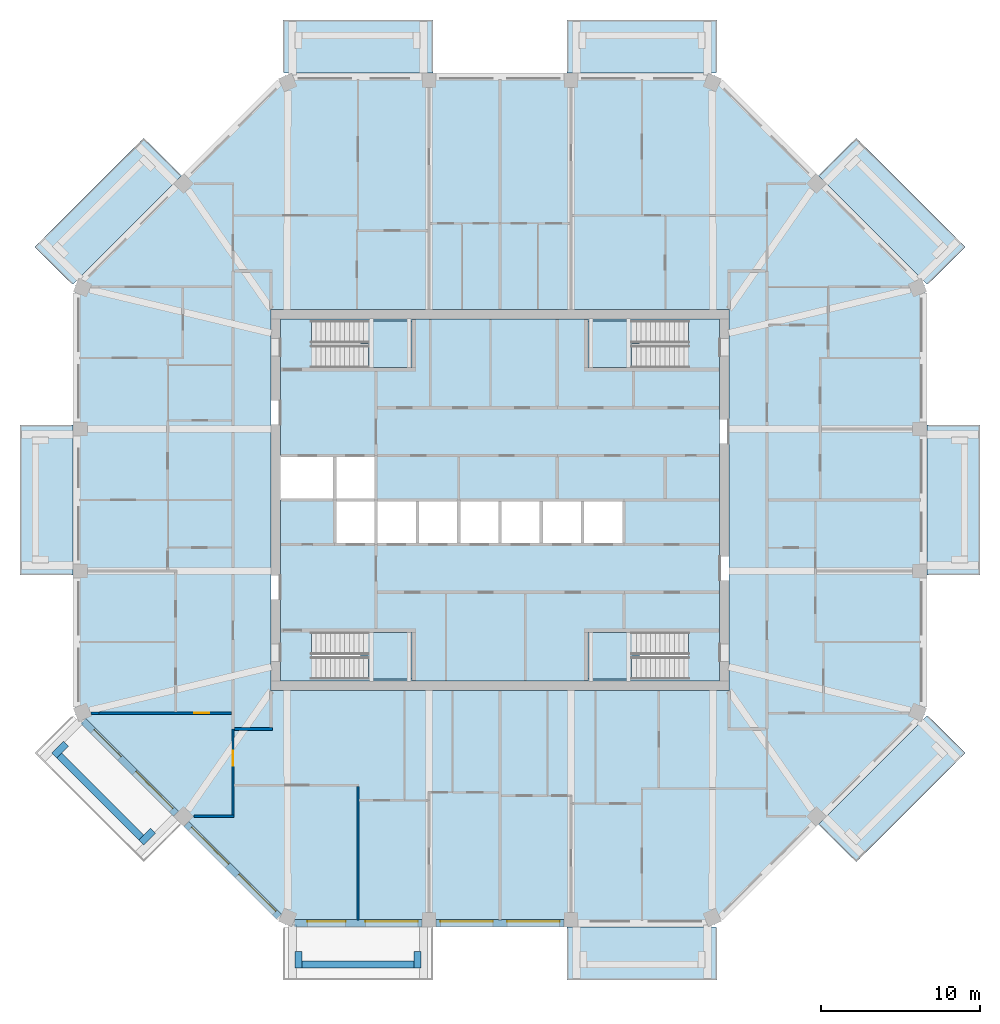
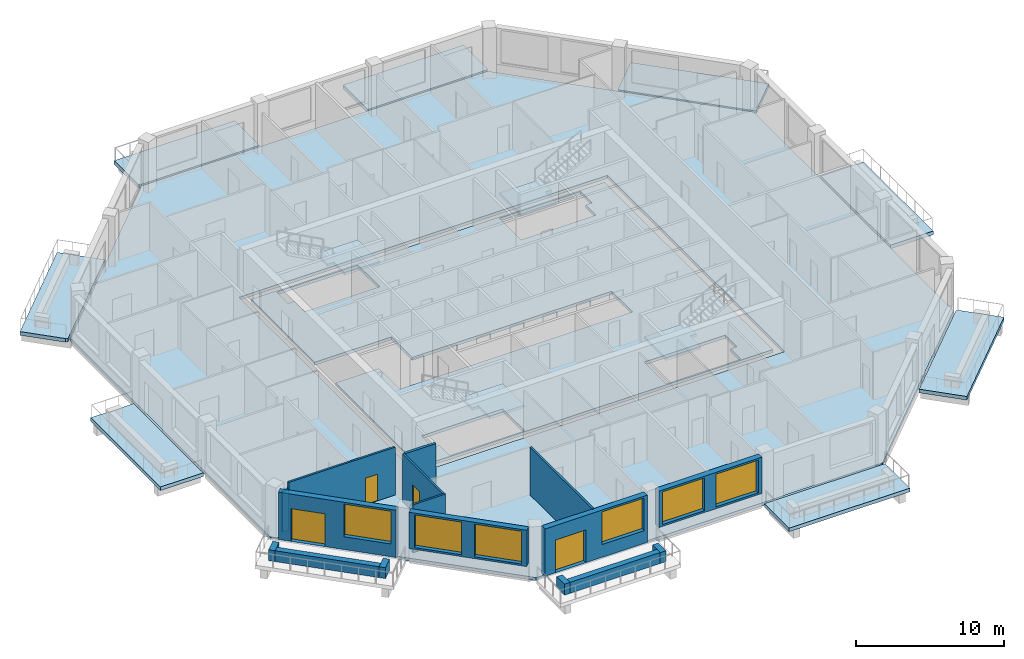
# One storey, part 2 of 12: 16 walls, 14 slabs, 6 windows, 4 doors, 10 openings, 4 elements without a shape of their own.
"""IFC4 building model written with IfcOpenShell, lengths in metres."""

import ifcopenshell
import ifcopenshell.guid

model = None  # the IFC model being written
_history = None  # IfcOwnerHistory: only IFC2X3 demands one
_inside = {}  # id of a spatial element -> (the spatial element, [elements in it])
_under = {}  # id of a project, library or spatial element -> (it, [spatial elements below it])
_declared = {}  # id of a project -> (the project, [libraries it declares])
_typed = {}  # id of a type object -> (the type object, [elements of that type])
_made_of = {}  # id of a material, layer set ... -> (it, [elements and type objects made of it])


def new_model(schema):
    """Start an empty IFC model of exactly this schema.

    Asked for "IFC4X3", IfcOpenShell would pick the latest addendum, in which some entities
    have other attributes; the version numbers below select the first issue.
    IFC2X3 requires an IfcOwnerHistory on every rooted entity: one is made here for all.
    """
    global model, _history
    if schema == "IFC4X3":
        model = ifcopenshell.file(schema_version=(4, 3, 0, 0))
    else:
        model = ifcopenshell.file(schema=schema)
    _inside.clear()
    _under.clear()
    _declared.clear()
    _typed.clear()
    _made_of.clear()
    _history = None
    if model.schema == "IFC2X3":
        org = make("IfcOrganization", Name="unknown")
        user = make(
            "IfcPersonAndOrganization",
            ThePerson=make("IfcPerson", FamilyName="unknown"),
            TheOrganization=org,
        )
        app = make(
            "IfcApplication",
            ApplicationDeveloper=org,
            Version="unknown",
            ApplicationFullName="unknown",
            ApplicationIdentifier="unknown",
        )
        _history = make(
            "IfcOwnerHistory",
            OwningUser=user,
            OwningApplication=app,
            ChangeAction="ADDED",
            CreationDate=0,
        )
    return model


def make(cls, **values):
    """One entity of the class cls with the attributes given. An attribute that is None is left unset."""
    return model.create_entity(
        cls, **{name: value for name, value in values.items() if value is not None}
    )


def rooted(cls, **values):
    """An entity with a GlobalId (a new one), such as an element, a storey or a relation."""
    return make(cls, GlobalId=ifcopenshell.guid.new(), OwnerHistory=_history, **values)


def si_unit(unit_type, name, prefix=None):
    """IfcSIUnit, for example si_unit("LENGTHUNIT", "METRE", prefix="MILLI")."""
    return make("IfcSIUnit", UnitType=unit_type, Prefix=prefix, Name=name)


def assignment(units):
    """IfcUnitAssignment: the units of a project."""
    return None if units is None else make("IfcUnitAssignment", Units=units)


def point(xyz):
    """IfcCartesianPoint."""
    return None if xyz is None else make("IfcCartesianPoint", Coordinates=xyz)


def direction(xyz):
    """IfcDirection."""
    return None if xyz is None else make("IfcDirection", DirectionRatios=xyz)


def frame(location, z_axis=None, x_axis=None):
    """IfcAxis2Placement3D, a coordinate frame: its origin and axes. An axis left out is left unset."""
    return make(
        "IfcAxis2Placement3D",
        Location=point(location),
        Axis=direction(z_axis),
        RefDirection=direction(x_axis),
    )


def frame_2d(location, x_axis=None):
    """IfcAxis2Placement2D, a coordinate frame in the plane: its origin and x axis."""
    return make(
        "IfcAxis2Placement2D", Location=point(location), RefDirection=direction(x_axis)
    )


def origin():
    """The frame at (0, 0, 0) with its axes left unset."""
    return frame((0.0, 0.0, 0.0))


def place(relative_to, where):
    """IfcLocalPlacement: puts the frame where relative to a parent placement (None: the world)."""
    return make(
        "IfcLocalPlacement", PlacementRelTo=relative_to, RelativePlacement=where
    )


def context(
    kind, dimensions, precision=None, world=None, true_north=None, identifier=None
):
    """IfcGeometricRepresentationContext, for example the 3D "Model" context."""
    return make(
        "IfcGeometricRepresentationContext",
        ContextIdentifier=identifier,
        ContextType=kind,
        CoordinateSpaceDimension=dimensions,
        Precision=precision,
        WorldCoordinateSystem=world,
        TrueNorth=true_north,
    )


def subcontext(parent, identifier, kind, view, scale=None):
    """IfcGeometricRepresentationSubContext, for example "Body" below "Model"."""
    return make(
        "IfcGeometricRepresentationSubContext",
        ContextIdentifier=identifier,
        ContextType=kind,
        ParentContext=parent,
        TargetScale=scale,
        TargetView=view,
    )


def project(units=None, contexts=None):
    """IfcProject with its units and contexts."""
    return rooted(
        "IfcProject",
        Name="project",
        RepresentationContexts=contexts,
        UnitsInContext=assignment(units),
    )


def spatial(cls, under=None, at=None, **own):
    """A site, building, storey or space (cls), placed at a placement, below another one or the project."""
    s = rooted(cls, ObjectPlacement=at, **own)
    if under is not None:
        _under.setdefault(under.id(), (under, []))[1].append(s)
    return s


def polyline(points):
    """IfcPolyline through the points."""
    return make("IfcPolyline", Points=[point(p) for p in points])


def profile(cls, at=None, kind="AREA", **sizes):
    """A parametric profile (cls). Its sizes go by their IFC names, for example OverallWidth=200.0."""
    return make(cls, ProfileType=kind, Position=at, **sizes)


def rectangle(**sizes):
    """IfcRectangleProfileDef."""
    return profile("IfcRectangleProfileDef", **sizes)


def outline(outer, holes=None, kind="AREA"):
    """IfcArbitraryClosedProfileDef: a profile drawn as a closed curve; with holes, ...WithVoids."""
    if holes is None:
        return make("IfcArbitraryClosedProfileDef", ProfileType=kind, OuterCurve=outer)
    return make(
        "IfcArbitraryProfileDefWithVoids",
        ProfileType=kind,
        OuterCurve=outer,
        InnerCurves=holes,
    )


def extrude(swept, where, along, depth):
    """IfcExtrudedAreaSolid: the profile swept, set in the frame where, extruded along a direction by depth."""
    return make(
        "IfcExtrudedAreaSolid",
        SweptArea=swept,
        Position=where,
        ExtrudedDirection=direction(along),
        Depth=depth,
    )


def shape(context_of_items, identifier, shape_type, items):
    """IfcShapeRepresentation: the items that make up one representation, for example the "Body"."""
    return make(
        "IfcShapeRepresentation",
        ContextOfItems=context_of_items,
        RepresentationIdentifier=identifier,
        RepresentationType=shape_type,
        Items=items,
    )


def material(Name=None, Category=None):
    """IfcMaterial."""
    return make("IfcMaterial", Name=Name, Category=Category)


def layer(
    of_material, thickness, ventilated=None, Name=None, Category=None, Priority=None
):
    """IfcMaterialLayer: one layer of a wall or slab, of a material (None: an air gap)."""
    return make(
        "IfcMaterialLayer",
        Material=of_material,
        LayerThickness=thickness,
        IsVentilated=ventilated,
        Name=Name,
        Category=Category,
        Priority=Priority,
    )


def layer_set(layers, Name=None):
    """IfcMaterialLayerSet."""
    return make("IfcMaterialLayerSet", MaterialLayers=layers, LayerSetName=Name)


def made_of(thing, what):
    """Note that an element or type object is made of a material, layer set ...; save() writes the relation."""
    if what is not None:
        _made_of.setdefault(what.id(), (what, []))[1].append(thing)
    return thing


def type_object(cls, material=None, **own):
    """A type object (cls), such as IfcWallType, which elements share."""
    return made_of(rooted(cls, **own), material)


def element(
    cls,
    number,
    at=None,
    inside=None,
    cuts=None,
    type_object=None,
    material=None,
    context=None,
    identifier="Body",
    shape_type=None,
    held_by="IfcProductDefinitionShape",
    body=None,
    shapes=None,
    **own,
):
    """One element of the class cls, such as IfcWall. Its Tag is "e" and its number.

    at: its placement. inside: the storey or other place that contains it. cuts: it is an
    opening in that element (IfcRelVoidsElement). A single representation is given by context,
    identifier, shape_type and body (its items); several are given by shapes. held_by: the class
    of the entity that holds the representations. save() writes the other relations.
    """
    e = rooted(cls, Tag="e%d" % number, ObjectPlacement=at, **own)
    if body is not None:
        shapes = [shape(context, identifier, shape_type, body)]
    if shapes is not None:
        e.Representation = make(held_by, Representations=shapes)
    if inside is not None:
        _inside.setdefault(inside.id(), (inside, []))[1].append(e)
    if cuts is not None:
        rooted(
            "IfcRelVoidsElement", RelatingBuildingElement=cuts, RelatedOpeningElement=e
        )
    if type_object is not None:
        _typed.setdefault(type_object.id(), (type_object, []))[1].append(e)
    return made_of(e, material)


def fill(opening, filler):
    """IfcRelFillsElement: the door or window that sits in an opening."""
    return rooted(
        "IfcRelFillsElement",
        RelatingOpeningElement=opening,
        RelatedBuildingElement=filler,
    )


def aggregate(whole, parts):
    """IfcRelAggregates: a whole, such as a stair, and the parts it consists of."""
    return rooted("IfcRelAggregates", RelatingObject=whole, RelatedObjects=parts)


def save(model, path):
    """Write the relations noted so far, then the file.

    IfcRelAggregates (storeys below a building ...), IfcRelContainedInSpatialStructure (elements
    in a storey), IfcRelDefinesByType, IfcRelAssociatesMaterial and IfcRelDeclares: one each for
    every whole, place, type object, material and project.
    """
    for whole, parts in _under.values():
        aggregate(whole, parts)
    for where, things in _inside.values():
        rooted(
            "IfcRelContainedInSpatialStructure",
            RelatedElements=things,
            RelatingStructure=where,
        )
    for kind, things in _typed.values():
        rooted("IfcRelDefinesByType", RelatedObjects=things, RelatingType=kind)
    for what, things in _made_of.values():
        rooted("IfcRelAssociatesMaterial", RelatedObjects=things, RelatingMaterial=what)
    for by, libraries in _declared.values():
        rooted("IfcRelDeclares", RelatingContext=by, RelatedDefinitions=libraries)
    model.write(path)


model = new_model("IFC4")

# Units and contexts
model_context = context("Model", 3, precision=1e-05, world=origin(), true_north=direction((0.0, 1.0)))
body_context = subcontext(model_context, "Body", "Model", "MODEL_VIEW")
ifc_project = project(units=[si_unit("LENGTHUNIT", "METRE"), si_unit("AREAUNIT", "SQUARE_METRE"), si_unit("VOLUMEUNIT", "CUBIC_METRE"), si_unit("PLANEANGLEUNIT", "RADIAN"), si_unit("MASSUNIT", "GRAM", prefix="KILO")], contexts=[model_context])

# Site, building, storey
site_placement = place(None, origin())
site = spatial("IfcSite", under=ifc_project, at=site_placement, CompositionType="ELEMENT")
building_placement = place(site_placement, origin())
building = spatial("IfcBuilding", under=site, at=building_placement, Name="Msitu Wima Residences", CompositionType="ELEMENT")
storey_placement = place(building_placement, frame((0.0, 0.0, 255.89990234375)))
storey = spatial("IfcBuildingStorey", under=building, at=storey_placement, Name="L59", CompositionType="ELEMENT", Elevation=255.89990234375)

# Slabs
ifc_material_1 = material(Name="Concrete C40/50", Category="concrete")
ifc_layer_1 = layer(ifc_material_1, 0.300048828125)
ifc_layer_set_1 = layer_set([ifc_layer_1], Name="Concrete C40/50")
slab_type_1 = type_object("IfcSlabType", Name="Balcony slab BS300", PredefinedType="FLOOR", material=ifc_layer_set_1)
slab_1_placement = place(storey_placement, frame((0.0, 0.0, -0.2998046875)))
element("IfcSlab", 1, at=slab_1_placement, inside=storey, type_object=slab_type_1, Name="Balcony E1 L59", PredefinedType="FLOOR", context=body_context, shape_type="SweptSolid", body=[
    extrude(outline(polyline([(26.85009765625, -4.0185546875), (26.85009765625, 4.0185546875), (26.85009765625, 4.71875), (30.199951171875, 4.71875), (30.199951171875, -4.71875), (26.85009765625, -4.71875), (26.85009765625, -4.0185546875)])), origin(), (0.0, 0.0, 1.0), 0.2998046875),
])
slab_2_placement = place(storey_placement, frame((0.0, 0.0, -0.2998046875)))
element("IfcSlab", 2, at=slab_2_placement, inside=storey, type_object=slab_type_1, Name="Balcony NE0 L59", PredefinedType="FLOOR", context=body_context, shape_type="SweptSolid", body=[
    extrude(outline(polyline([(26.505615234375, 13.936767578125), (26.505615234375, 13.936767578125), (20.04443359375, 20.39794921875), (22.4130859375, 22.766845703125), (29.263671875, 15.916015625), (27.003662109375, 13.656005859375), (26.85009765625, 13.59228515625), (26.505615234375, 13.936767578125), (26.505615234375, 13.936767578125)])), origin(), (0.0, 0.0, 1.0), 0.2998046875),
])
slab_3_placement = place(storey_placement, frame((0.0, 0.0, -0.2998046875)))
element("IfcSlab", 3, at=slab_3_placement, inside=storey, type_object=slab_type_1, Name="Balcony N0 L59", PredefinedType="FLOOR", context=body_context, shape_type="SweptSolid", body=[
    extrude(outline(polyline([(13.105224609375, 26.85009765625), (13.105224609375, 26.85009765625), (4.918701171875, 26.85009765625), (4.21875, 26.85009765625), (4.21875, 30.199951171875), (13.656005859375, 30.199951171875), (13.656005859375, 27.003662109375), (13.59228515625, 26.85009765625), (13.105224609375, 26.85009765625), (13.105224609375, 26.85009765625)])), origin(), (0.0, 0.0, 1.0), 0.2998046875),
])
slab_4_placement = place(storey_placement, frame((0.0, 0.0, -0.2998046875)))
element("IfcSlab", 4, at=slab_4_placement, inside=storey, type_object=slab_type_1, Name="Balcony N2 L59", PredefinedType="FLOOR", context=body_context, shape_type="SweptSolid", body=[
    extrude(outline(polyline([(-13.105224609375, 26.85009765625), (-13.105224609375, 26.85009765625), (-13.105224609375, 26.85009765625), (-13.59228515625, 26.85009765625), (-13.656005859375, 27.003662109375), (-13.656005859375, 30.199951171875), (-4.21875, 30.199951171875), (-4.21875, 26.85009765625), (-4.918701171875, 26.85009765625), (-13.105224609375, 26.85009765625)])), origin(), (0.0, 0.0, 1.0), 0.2998046875),
])
slab_5_placement = place(storey_placement, frame((0.0, 0.0, -0.2998046875)))
element("IfcSlab", 5, at=slab_5_placement, inside=storey, type_object=slab_type_1, Name="Balcony NW1 L59", PredefinedType="FLOOR", context=body_context, shape_type="SweptSolid", body=[
    extrude(outline(polyline([(-26.505615234375, 13.936767578125), (-26.505615234375, 13.936767578125), (-26.85009765625, 13.59228515625), (-27.003662109375, 13.656005859375), (-29.263671875, 15.916015625), (-22.4130859375, 22.766845703125), (-20.04443359375, 20.39794921875), (-26.505615234375, 13.936767578125), (-26.505615234375, 13.936767578125)])), origin(), (0.0, 0.0, 1.0), 0.2998046875),
])
slab_6_placement = place(storey_placement, frame((0.0, 0.0, -0.2998046875)))
element("IfcSlab", 6, at=slab_6_placement, inside=storey, type_object=slab_type_1, Name="Balcony W1 L59", PredefinedType="FLOOR", context=body_context, shape_type="SweptSolid", body=[
    extrude(outline(polyline([(-26.85009765625, 4.0185546875), (-26.85009765625, -4.0185546875), (-26.85009765625, -4.71875), (-30.199951171875, -4.71875), (-30.199951171875, 4.71875), (-26.85009765625, 4.71875), (-26.85009765625, 4.0185546875)])), origin(), (0.0, 0.0, 1.0), 0.2998046875),
])
slab_7_placement = place(storey_placement, frame((0.0, 0.0, -0.2998046875)))
element("IfcSlab", 7, at=slab_7_placement, inside=storey, type_object=slab_type_1, Name="Balcony S2 L59", PredefinedType="FLOOR", context=body_context, shape_type="SweptSolid", body=[
    extrude(outline(polyline([(13.105224609375, -26.85009765625), (13.105224609375, -26.85009765625), (13.105224609375, -26.85009765625), (13.59228515625, -26.85009765625), (13.656005859375, -27.003662109375), (13.656005859375, -30.199951171875), (4.21875, -30.199951171875), (4.21875, -26.85009765625), (4.918701171875, -26.85009765625), (13.105224609375, -26.85009765625)])), origin(), (0.0, 0.0, 1.0), 0.2998046875),
])
slab_8_placement = place(storey_placement, frame((0.0, 0.0, -0.2998046875)))
element("IfcSlab", 8, at=slab_8_placement, inside=storey, type_object=slab_type_1, Name="Balcony SE1 L59", PredefinedType="FLOOR", context=body_context, shape_type="SweptSolid", body=[
    extrude(outline(polyline([(26.505615234375, -13.936767578125), (26.505615234375, -13.936767578125), (26.85009765625, -13.59228515625), (27.003662109375, -13.656005859375), (29.263671875, -15.916015625), (22.4130859375, -22.766845703125), (20.04443359375, -20.39794921875), (26.505615234375, -13.936767578125), (26.505615234375, -13.936767578125)])), origin(), (0.0, 0.0, 1.0), 0.2998046875),
])
ifc_layer_2 = layer(ifc_material_1, 0.25)
ifc_layer_set_2 = layer_set([ifc_layer_2], Name="Concrete C40/50")
slab_type_2 = type_object("IfcSlabType", Name="Core floor CF250", PredefinedType="FLOOR", material=ifc_layer_set_2)
slab_9_placement = place(storey_placement, frame((0.0, 0.0, -0.25)))
element("IfcSlab", 9, at=slab_9_placement, inside=storey, type_object=slab_type_2, Name="Core floor", PredefinedType="FLOOR", context=body_context, shape_type="SweptSolid", body=[
    extrude(outline(polyline([(-13.800048828125, 11.39990234375), (-13.800048828125, 2.800048828125), (-10.39990234375, 2.800048828125), (-7.800048828125, 2.800048828125), (-7.800048828125, 0.0), (-5.199951171875, 0.0), (-2.60009765625, 0.0), (0.0, 0.0), (2.60009765625, 0.0), (5.199951171875, 0.0), (7.800048828125, 0.0), (7.800048828125, -2.800048828125), (5.199951171875, -2.800048828125), (2.60009765625, -2.800048828125), (0.0, -2.800048828125), (-2.60009765625, -2.800048828125), (-5.199951171875, -2.800048828125), (-7.800048828125, -2.800048828125), (-10.39990234375, -2.800048828125), (-10.39990234375, 0.0), (-13.800048828125, 0.0), (-13.800048828125, -11.39990234375), (13.800048828125, -11.39990234375), (13.800048828125, 11.39990234375), (-13.800048828125, 11.39990234375)]), holes=[polyline([(-11.375, -11.27490234375), (-11.375, -9.875), (-11.87451171875, -9.875), (-11.87451171875, -8.324951171875), (-5.52490234375, -8.324951171875), (-5.52490234375, -11.27490234375), (-11.375, -11.27490234375)]), polyline([(-11.375, 8.324951171875), (-11.375, 9.72509765625), (-11.87451171875, 9.72509765625), (-11.87451171875, 11.27490234375), (-5.52490234375, 11.27490234375), (-5.52490234375, 8.324951171875), (-11.375, 8.324951171875)]), polyline([(11.375, -9.875), (11.375, -11.27490234375), (5.52490234375, -11.27490234375), (5.52490234375, -8.324951171875), (11.87451171875, -8.324951171875), (11.87451171875, -9.875), (11.375, -9.875)]), polyline([(11.375, 9.72509765625), (11.375, 8.324951171875), (5.52490234375, 8.324951171875), (5.52490234375, 11.27490234375), (11.87451171875, 11.27490234375), (11.87451171875, 9.72509765625), (11.375, 9.72509765625)])]), origin(), (0.0, 0.0, 1.0), 0.25),
])
ifc_layer_3 = layer(ifc_material_1, 0.25)
ifc_layer_set_3 = layer_set([ifc_layer_3], Name="Concrete C40/50")
slab_type_3 = type_object("IfcSlabType", Name="PT flat slab 250 Concrete C40/50", PredefinedType="FLOOR", material=ifc_layer_set_3)
slab_10_placement = place(storey_placement, frame((0.0, 0.0, -0.25)))
element("IfcSlab", 10, at=slab_10_placement, inside=storey, type_object=slab_type_3, Name="Floor slab L59", PredefinedType="FLOOR", context=body_context, shape_type="SweptSolid", body=[
    extrude(outline(polyline([(26.699951171875, -13.5302734375), (13.5302734375, -26.699951171875), (-13.5302734375, -26.699951171875), (-26.699951171875, -13.5302734375), (-26.699951171875, 13.5302734375), (-13.5302734375, 26.699951171875), (13.5302734375, 26.699951171875), (26.699951171875, 13.5302734375), (26.699951171875, -13.5302734375)]), holes=[polyline([(-14.39990234375, -12.0), (14.39990234375, -12.0), (14.39990234375, 12.0), (-14.39990234375, 12.0), (-14.39990234375, -12.0)])]), origin(), (0.0, 0.0, 1.0), 0.25),
])

# Stair, slab
stair_type = type_object("IfcStairType", Name="Exit stair ES1615-140", PredefinedType="HALF_TURN_STAIR", material=ifc_material_1)
stair_1_placement = place(storey_placement, origin())
stair_1 = element("IfcStair", 11, at=stair_1_placement, inside=storey, type_object=stair_type, Name="Exit stair 1", PredefinedType="HALF_TURN_STAIR")
ifc_layer_4 = layer(ifc_material_1, 0.199951171875)
ifc_layer_set_4 = layer_set([ifc_layer_4], Name="Concrete C40/50")
slab_type_4 = type_object("IfcSlabType", Name="Stair landing SL200", PredefinedType="LANDING", material=ifc_layer_set_4)
slab_11_placement = place(storey_placement, frame((0.0, 0.0, 1.900146484375)))
slab_11 = element("IfcSlab", 12, at=slab_11_placement, type_object=slab_type_4, Name="S1 landing 1", PredefinedType="LANDING", context=body_context, shape_type="SweptSolid", body=[
    extrude(outline(polyline([(-5.52490234375, 8.324951171875), (-8.275390625, 8.324951171875), (-8.275390625, 9.800048828125), (-8.77490234375, 9.800048828125), (-8.77490234375, 11.27490234375), (-5.52490234375, 11.27490234375), (-5.52490234375, 8.324951171875)])), origin(), (0.0, 0.0, 1.0), 0.199951171875),
])
aggregate(stair_1, [slab_11])

stair_2_placement = place(storey_placement, origin())
stair_2 = element("IfcStair", 13, at=stair_2_placement, inside=storey, type_object=stair_type, Name="Exit stair 2", PredefinedType="HALF_TURN_STAIR")
slab_12_placement = place(storey_placement, frame((0.0, 0.0, 1.900146484375)))
slab_12 = element("IfcSlab", 14, at=slab_12_placement, type_object=slab_type_4, Name="S2 landing 1", PredefinedType="LANDING", context=body_context, shape_type="SweptSolid", body=[
    extrude(outline(polyline([(-5.52490234375, -11.27490234375), (-8.275390625, -11.27490234375), (-8.275390625, -9.800048828125), (-8.77490234375, -9.800048828125), (-8.77490234375, -8.324951171875), (-5.52490234375, -8.324951171875), (-5.52490234375, -11.27490234375)])), origin(), (0.0, 0.0, 1.0), 0.199951171875),
])
aggregate(stair_2, [slab_12])

stair_3_placement = place(storey_placement, origin())
stair_3 = element("IfcStair", 15, at=stair_3_placement, inside=storey, type_object=stair_type, Name="Exit stair 3", PredefinedType="HALF_TURN_STAIR")
slab_13_placement = place(storey_placement, frame((0.0, 0.0, 1.900146484375)))
slab_13 = element("IfcSlab", 16, at=slab_13_placement, type_object=slab_type_4, Name="S3 landing 1", PredefinedType="LANDING", context=body_context, shape_type="SweptSolid", body=[
    extrude(outline(polyline([(5.52490234375, 8.324951171875), (8.275390625, 8.324951171875), (8.275390625, 9.800048828125), (8.77490234375, 9.800048828125), (8.77490234375, 11.27490234375), (5.52490234375, 11.27490234375), (5.52490234375, 8.324951171875)])), origin(), (0.0, 0.0, 1.0), 0.199951171875),
])
aggregate(stair_3, [slab_13])

stair_4_placement = place(storey_placement, origin())
stair_4 = element("IfcStair", 17, at=stair_4_placement, inside=storey, type_object=stair_type, Name="Exit stair 4", PredefinedType="HALF_TURN_STAIR")
slab_14_placement = place(storey_placement, frame((0.0, 0.0, 1.900146484375)))
slab_14 = element("IfcSlab", 18, at=slab_14_placement, type_object=slab_type_4, Name="S4 landing 1", PredefinedType="LANDING", context=body_context, shape_type="SweptSolid", body=[
    extrude(outline(polyline([(5.52490234375, -11.27490234375), (8.275390625, -11.27490234375), (8.275390625, -9.800048828125), (8.77490234375, -9.800048828125), (8.77490234375, -8.324951171875), (5.52490234375, -8.324951171875), (5.52490234375, -11.27490234375)])), origin(), (0.0, 0.0, 1.0), 0.199951171875),
])
aggregate(stair_4, [slab_14])

# Walls
ifc_material_2 = material(Name="Facing brick")
ifc_layer_5 = layer(ifc_material_2, 0.06494140625, Name="Facing brick")
ifc_layer_6 = layer(ifc_material_1, 0.156005859375, Name="Concrete C40/50")
ifc_material_3 = material(Name="Waterproofing membrane")
ifc_layer_7 = layer(ifc_material_3, 0.00390625, Name="Waterproofing membrane")
ifc_material_4 = material(Name="Planting soil and planting")
ifc_layer_8 = layer(ifc_material_4, 0.22509765625, Name="Planting soil and planting")
ifc_layer_set_5 = layer_set([ifc_layer_5, ifc_layer_6, ifc_layer_7, ifc_layer_8], Name="Concrete C40/50")
wall_type_1 = type_object("IfcWallType", Name="Balcony planter PLANTER PL450", PredefinedType="USERDEFINED", material=ifc_layer_set_5)
wall_1_placement = place(storey_placement, frame((-27.725830078125, -16.0751953125, 0.0), z_axis=(0.0, 0.0, 1.0), x_axis=(0.707106781187, -0.707106781187, 0.0)))
element("IfcWall", 19, at=wall_1_placement, inside=storey, type_object=wall_type_1, Name="Balcony planter SW0 L59", ObjectType="PLANTER", PredefinedType="USERDEFINED", context=body_context, shape_type="SweptSolid", body=[
    extrude(rectangle(XDim=7.288330078125, YDim=0.449951171875, at=frame_2d((3.64404296875, 0.0))), origin(), (0.0, 0.0, 1.0), 0.900146484375),
])
for number, where, z_axis, x_axis, name in (
    (20, (-27.301513671875, -15.332763671875, 0.0), (0.0, 0.0, 1.0), (-0.707106781187, -0.707106781187, 0.0), "Balcony planter SW0 L59"),
    (21, (-21.829833984375, -20.804443359375, 0.0), (0.0, 0.0, 1.0), (-0.707106781187, -0.707106781187, 0.0), "Balcony planter SW0 L59"),
):
    element("IfcWall", number, at=place(storey_placement, frame(where, z_axis=z_axis, x_axis=x_axis)), inside=storey, type_object=wall_type_1, Name=name, ObjectType="PLANTER", PredefinedType="USERDEFINED", context=body_context, shape_type="SweptSolid", body=[
        extrude(rectangle(XDim=1.050048828125, YDim=0.449951171875, at=frame_2d((0.52490234375, 0.0))), origin(), (0.0, 0.0, 1.0), 0.900146484375),
    ])
wall_2_placement = place(storey_placement, frame((-12.455810546875, -29.22509765625, 0.0), z_axis=(0.0, 0.0, 1.0), x_axis=(1.0, 0.0, 0.0)))
element("IfcWall", 22, at=wall_2_placement, inside=storey, type_object=wall_type_1, Name="Balcony planter S0 L59", ObjectType="PLANTER", PredefinedType="USERDEFINED", context=body_context, shape_type="SweptSolid", body=[
    extrude(rectangle(XDim=7.037109375, YDim=0.449951171875, at=frame_2d((3.5185546875, 0.0))), origin(), (0.0, 0.0, 1.0), 0.900146484375),
])
for number, where, z_axis, x_axis, name in (
    (23, (-12.680908203125, -28.39990234375, 0.0), (0.0, 0.0, 1.0), (0.0, -1.0, 0.0), "Balcony planter S0 L59"),
    (24, (-5.193603515625, -28.39990234375, 0.0), (0.0, 0.0, 1.0), (0.0, -1.0, 0.0), "Balcony planter S0 L59"),
):
    element("IfcWall", number, at=place(storey_placement, frame(where, z_axis=z_axis, x_axis=x_axis)), inside=storey, type_object=wall_type_1, Name=name, ObjectType="PLANTER", PredefinedType="USERDEFINED", context=body_context, shape_type="SweptSolid", body=[
        extrude(rectangle(XDim=1.050048828125, YDim=0.449951171875, at=frame_2d((0.52490234375, 0.0))), origin(), (0.0, 0.0, 1.0), 0.900146484375),
    ])

# Wall, openings, door, window
ifc_material_5 = material(Name="Brick (red buff mix)", Category="masonry")
ifc_layer_9 = layer(ifc_material_5, 0.449951171875)
ifc_layer_set_6 = layer_set([ifc_layer_9], Name="Brick (red buff mix)")
wall_type_2 = type_object("IfcWallType", Name="Brick infill wall BW450", PredefinedType="SOLIDWALL", material=ifc_layer_set_6)
wall_3_placement = place(storey_placement, frame((-26.214599609375, -13.909423828125, 0.0), z_axis=(0.0, 0.0, 1.0), x_axis=(0.707106781187, -0.707106781187, 0.0)))
wall_3 = element("IfcWall", 25, at=wall_3_placement, inside=storey, type_object=wall_type_2, Name="Brick infill wall L59 SW0", PredefinedType="SOLIDWALL", context=body_context, shape_type="SweptSolid", body=[
    extrude(rectangle(XDim=8.251220703125, YDim=0.449951171875, at=frame_2d((4.12548828125, 0.0))), origin(), (0.0, 0.0, 1.0), 3.900146484375),
])
opening_1_placement = place(wall_3_placement, frame((0.86279296875, 0.0, 0.0)))
opening_1 = element("IfcOpeningElement", 26, at=opening_1_placement, cuts=wall_3, Name="Opening D57-59.009", PredefinedType="OPENING", context=body_context, shape_type="SweptSolid", body=[
    extrude(rectangle(XDim=2.39990234375, YDim=2.699951171875, at=frame_2d((1.199951171875, 1.35009765625))), frame((0.0, 0.23486328125, 0.0), z_axis=(0.0, -1.0, 0.0), x_axis=(1.0, 0.0, 0.0)), (0.0, 0.0, 1.0), 0.469970703125),
])
opening_2_placement = place(wall_3_placement, frame((4.57568359375, 0.0, 1.050048828125)))
opening_2 = element("IfcOpeningElement", 27, at=opening_2_placement, cuts=wall_3, Name="Opening W57-59.023", PredefinedType="OPENING", context=body_context, shape_type="SweptSolid", body=[
    extrude(rectangle(XDim=3.300048828125, YDim=2.699951171875, at=frame_2d((1.64990234375, 1.35009765625))), frame((0.0, 0.23486328125, 0.0), z_axis=(0.0, -1.0, 0.0), x_axis=(1.0, 0.0, 0.0)), (0.0, 0.0, 1.0), 0.469970703125),
])
ifc_material_6 = material(Name="Anodised aluminium, bronze finish, clear low-emissivity double glazing", Category="aluminium")
door_type_1 = type_object("IfcDoorType", Name="Balcony door D2400x2700", OperationType="SLIDING_TO_LEFT", PredefinedType="DOOR", material=ifc_material_6)
door_1_placement = place(opening_1_placement, origin())
door_1 = element("IfcDoor", 28, at=door_1_placement, inside=storey, type_object=door_type_1, Name="Balcony door L59 SW0", OperationType="SINGLE_SWING_LEFT", OverallHeight=2.699951171875, OverallWidth=2.39990234375, PredefinedType="DOOR", context=body_context, shape_type="SweptSolid", body=[
    extrude(rectangle(XDim=2.39990234375, YDim=2.699951171875, at=frame_2d((1.199951171875, 1.35009765625))), frame((0.0, 0.1298828125, 0.0), z_axis=(0.0, -1.0, 0.0), x_axis=(1.0, 0.0, 0.0)), (0.0, 0.0, 1.0), 0.050048828125),
])
fill(opening_1, door_1)
window_type = type_object("IfcWindowType", Name="Window W3300x2700", PartitioningType="DOUBLE_PANEL_VERTICAL", PredefinedType="WINDOW", material=ifc_material_6)
window_1_placement = place(opening_2_placement, origin())
window_1 = element("IfcWindow", 29, at=window_1_placement, inside=storey, type_object=window_type, Name="Window L59 SW0.2", OverallHeight=2.699951171875, OverallWidth=3.300048828125, PartitioningType="SINGLE_PANEL", PredefinedType="WINDOW", context=body_context, shape_type="SweptSolid", body=[
    extrude(rectangle(XDim=3.300048828125, YDim=2.699951171875, at=frame_2d((1.64990234375, 1.35009765625))), frame((0.0, 0.135009765625, 0.0), z_axis=(0.0, -1.0, 0.0), x_axis=(1.0, 0.0, 0.0)), (0.0, 0.0, 1.0), 0.06005859375),
])
fill(opening_2, window_1)

# Wall, openings, windows
wall_4_placement = place(storey_placement, frame((-19.743896484375, -20.380126953125, 0.900146484375), z_axis=(0.0, 0.0, 1.0), x_axis=(0.707106781187, -0.707106781187, 0.0)))
wall_4 = element("IfcWall", 30, at=wall_4_placement, inside=storey, type_object=wall_type_2, Name="Brick infill wall L59 SW1", PredefinedType="SOLIDWALL", context=body_context, shape_type="SweptSolid", body=[
    extrude(rectangle(XDim=8.251220703125, YDim=0.449951171875, at=frame_2d((4.12548828125, 0.0))), origin(), (0.0, 0.0, 1.0), 3.0),
])
opening_3_placement = place(wall_4_placement, frame((0.37548828125, 0.0, 0.14990234375)))
opening_3 = element("IfcOpeningElement", 31, at=opening_3_placement, cuts=wall_4, Name="Opening W57-59.024", PredefinedType="OPENING", context=body_context, shape_type="SweptSolid", body=[
    extrude(rectangle(XDim=3.300048828125, YDim=2.699951171875, at=frame_2d((1.64990234375, 1.35009765625))), frame((0.0, 0.23486328125, 0.0), z_axis=(0.0, -1.0, 0.0), x_axis=(1.0, 0.0, 0.0)), (0.0, 0.0, 1.0), 0.469970703125),
])
opening_4_placement = place(wall_4_placement, frame((4.57568359375, 0.0, 0.14990234375)))
opening_4 = element("IfcOpeningElement", 32, at=opening_4_placement, cuts=wall_4, Name="Opening W57-59.025", PredefinedType="OPENING", context=body_context, shape_type="SweptSolid", body=[
    extrude(rectangle(XDim=3.300048828125, YDim=2.699951171875, at=frame_2d((1.64990234375, 1.35009765625))), frame((0.0, 0.23486328125, 0.0), z_axis=(0.0, -1.0, 0.0), x_axis=(1.0, 0.0, 0.0)), (0.0, 0.0, 1.0), 0.469970703125),
])
window_2_placement = place(opening_3_placement, origin())
window_2 = element("IfcWindow", 33, at=window_2_placement, inside=storey, type_object=window_type, Name="Window L59 SW1.1", OverallHeight=2.699951171875, OverallWidth=3.300048828125, PartitioningType="SINGLE_PANEL", PredefinedType="WINDOW", context=body_context, shape_type="SweptSolid", body=[
    extrude(rectangle(XDim=3.300048828125, YDim=2.699951171875, at=frame_2d((1.64990234375, 1.35009765625))), frame((0.0, 0.135009765625, 0.0), z_axis=(0.0, -1.0, 0.0), x_axis=(1.0, 0.0, 0.0)), (0.0, 0.0, 1.0), 0.06005859375),
])
fill(opening_3, window_2)
window_3_placement = place(opening_4_placement, origin())
window_3 = element("IfcWindow", 34, at=window_3_placement, inside=storey, type_object=window_type, Name="Window L59 SW1.2", OverallHeight=2.699951171875, OverallWidth=3.300048828125, PartitioningType="SINGLE_PANEL", PredefinedType="WINDOW", context=body_context, shape_type="SweptSolid", body=[
    extrude(rectangle(XDim=3.300048828125, YDim=2.699951171875, at=frame_2d((1.64990234375, 1.35009765625))), frame((0.0, 0.135009765625, 0.0), z_axis=(0.0, -1.0, 0.0), x_axis=(1.0, 0.0, 0.0)), (0.0, 0.0, 1.0), 0.06005859375),
])
fill(opening_4, window_3)

# Wall, openings, door, window
wall_5_placement = place(storey_placement, frame((-12.918701171875, -26.625, 0.0), z_axis=(0.0, 0.0, 1.0), x_axis=(1.0, 0.0, 0.0)))
wall_5 = element("IfcWall", 35, at=wall_5_placement, inside=storey, type_object=wall_type_2, Name="Brick infill wall L59 S0", PredefinedType="SOLIDWALL", context=body_context, shape_type="SweptSolid", body=[
    extrude(rectangle(XDim=8.0, YDim=0.449951171875, at=frame_2d((4.0, 0.0))), origin(), (0.0, 0.0, 1.0), 3.900146484375),
])
opening_5_placement = place(wall_5_placement, frame((0.800048828125, 0.0, 0.0)))
opening_5 = element("IfcOpeningElement", 36, at=opening_5_placement, cuts=wall_5, Name="Opening D57-59.006", PredefinedType="OPENING", context=body_context, shape_type="SweptSolid", body=[
    extrude(rectangle(XDim=2.39990234375, YDim=2.699951171875, at=frame_2d((1.199951171875, 1.35009765625))), frame((0.0, 0.23486328125, 0.0), z_axis=(0.0, -1.0, 0.0), x_axis=(1.0, 0.0, 0.0)), (0.0, 0.0, 1.0), 0.469970703125),
])
opening_6_placement = place(wall_5_placement, frame((4.4501953125, 0.0, 1.050048828125)))
opening_6 = element("IfcOpeningElement", 37, at=opening_6_placement, cuts=wall_5, Name="Opening W57-59.016", PredefinedType="OPENING", context=body_context, shape_type="SweptSolid", body=[
    extrude(rectangle(XDim=3.300048828125, YDim=2.699951171875, at=frame_2d((1.64990234375, 1.35009765625))), frame((0.0, 0.23486328125, 0.0), z_axis=(0.0, -1.0, 0.0), x_axis=(1.0, 0.0, 0.0)), (0.0, 0.0, 1.0), 0.469970703125),
])
door_2_placement = place(opening_5_placement, origin())
door_2 = element("IfcDoor", 38, at=door_2_placement, inside=storey, type_object=door_type_1, Name="Balcony door L59 S0", OperationType="SINGLE_SWING_LEFT", OverallHeight=2.699951171875, OverallWidth=2.39990234375, PredefinedType="DOOR", context=body_context, shape_type="SweptSolid", body=[
    extrude(rectangle(XDim=2.39990234375, YDim=2.699951171875, at=frame_2d((1.199951171875, 1.35009765625))), frame((0.0, 0.1298828125, 0.0), z_axis=(0.0, -1.0, 0.0), x_axis=(1.0, 0.0, 0.0)), (0.0, 0.0, 1.0), 0.050048828125),
])
fill(opening_5, door_2)
window_4_placement = place(opening_6_placement, origin())
window_4 = element("IfcWindow", 39, at=window_4_placement, inside=storey, type_object=window_type, Name="Window L59 S0.2", OverallHeight=2.699951171875, OverallWidth=3.300048828125, PartitioningType="SINGLE_PANEL", PredefinedType="WINDOW", context=body_context, shape_type="SweptSolid", body=[
    extrude(rectangle(XDim=3.300048828125, YDim=2.699951171875, at=frame_2d((1.64990234375, 1.35009765625))), frame((0.0, 0.135009765625, 0.0), z_axis=(0.0, -1.0, 0.0), x_axis=(1.0, 0.0, 0.0)), (0.0, 0.0, 1.0), 0.06005859375),
])
fill(opening_6, window_4)

# Wall, openings, windows
wall_6_placement = place(storey_placement, frame((-4.0185546875, -26.625, 0.900146484375), z_axis=(0.0, 0.0, 1.0), x_axis=(1.0, 0.0, 0.0)))
wall_6 = element("IfcWall", 40, at=wall_6_placement, inside=storey, type_object=wall_type_2, Name="Brick infill wall L59 S1", PredefinedType="SOLIDWALL", context=body_context, shape_type="SweptSolid", body=[
    extrude(rectangle(XDim=8.037109375, YDim=0.449951171875, at=frame_2d((4.0185546875, 0.0))), origin(), (0.0, 0.0, 1.0), 3.0),
])
opening_7_placement = place(wall_6_placement, frame((0.2685546875, 0.0, 0.14990234375)))
opening_7 = element("IfcOpeningElement", 41, at=opening_7_placement, cuts=wall_6, Name="Opening W57-59.017", PredefinedType="OPENING", context=body_context, shape_type="SweptSolid", body=[
    extrude(rectangle(XDim=3.300048828125, YDim=2.699951171875, at=frame_2d((1.64990234375, 1.35009765625))), frame((0.0, 0.23486328125, 0.0), z_axis=(0.0, -1.0, 0.0), x_axis=(1.0, 0.0, 0.0)), (0.0, 0.0, 1.0), 0.469970703125),
])
opening_8_placement = place(wall_6_placement, frame((4.46875, 0.0, 0.14990234375)))
opening_8 = element("IfcOpeningElement", 42, at=opening_8_placement, cuts=wall_6, Name="Opening W57-59.018", PredefinedType="OPENING", context=body_context, shape_type="SweptSolid", body=[
    extrude(rectangle(XDim=3.300048828125, YDim=2.699951171875, at=frame_2d((1.64990234375, 1.35009765625))), frame((0.0, 0.23486328125, 0.0), z_axis=(0.0, -1.0, 0.0), x_axis=(1.0, 0.0, 0.0)), (0.0, 0.0, 1.0), 0.469970703125),
])
window_5_placement = place(opening_7_placement, origin())
window_5 = element("IfcWindow", 43, at=window_5_placement, inside=storey, type_object=window_type, Name="Window L59 S1.1", OverallHeight=2.699951171875, OverallWidth=3.300048828125, PartitioningType="SINGLE_PANEL", PredefinedType="WINDOW", context=body_context, shape_type="SweptSolid", body=[
    extrude(rectangle(XDim=3.300048828125, YDim=2.699951171875, at=frame_2d((1.64990234375, 1.35009765625))), frame((0.0, 0.135009765625, 0.0), z_axis=(0.0, -1.0, 0.0), x_axis=(1.0, 0.0, 0.0)), (0.0, 0.0, 1.0), 0.06005859375),
])
fill(opening_7, window_5)
window_6_placement = place(opening_8_placement, origin())
window_6 = element("IfcWindow", 44, at=window_6_placement, inside=storey, type_object=window_type, Name="Window L59 S1.2", OverallHeight=2.699951171875, OverallWidth=3.300048828125, PartitioningType="SINGLE_PANEL", PredefinedType="WINDOW", context=body_context, shape_type="SweptSolid", body=[
    extrude(rectangle(XDim=3.300048828125, YDim=2.699951171875, at=frame_2d((1.64990234375, 1.35009765625))), frame((0.0, 0.135009765625, 0.0), z_axis=(0.0, -1.0, 0.0), x_axis=(1.0, 0.0, 0.0)), (0.0, 0.0, 1.0), 0.06005859375),
])
fill(opening_8, window_6)

# Walls
ifc_material_7 = material(Name="Plaster")
ifc_layer_10 = layer(ifc_material_7, 0.011962890625, Name="Plaster")
ifc_material_8 = material(Name="Concrete blockwork", Category="masonry")
ifc_layer_11 = layer(ifc_material_8, 0.176025390625, Name="Concrete blockwork")
ifc_layer_12 = layer(ifc_material_7, 0.011962890625, Name="Plaster")
ifc_layer_set_7 = layer_set([ifc_layer_10, ifc_layer_11, ifc_layer_12], Name="Concrete blockwork")
wall_type_3 = type_object("IfcWallType", Name="Corridor wall FW200", PredefinedType="PARTITIONING", material=ifc_layer_set_7)
wall_7_placement = place(storey_placement, frame((-16.699951171875, -14.39990234375, 0.0), z_axis=(0.0, 0.0, 1.0), x_axis=(1.0, 0.0, 0.0)))
element("IfcWall", 45, at=wall_7_placement, inside=storey, type_object=wall_type_3, Name="Corridor wall", PredefinedType="PARTITIONING", context=body_context, shape_type="SweptSolid", body=[
    extrude(rectangle(XDim=2.39990234375, YDim=0.199951171875, at=frame_2d((1.199951171875, 0.0))), origin(), (0.0, 0.0, 1.0), 3.9501953125),
])
ifc_layer_13 = layer(ifc_material_7, 0.011962890625, Name="Plaster")
ifc_layer_14 = layer(ifc_material_8, 0.1259765625, Name="Concrete blockwork")
ifc_layer_15 = layer(ifc_material_7, 0.011962890625, Name="Plaster")
ifc_layer_set_8 = layer_set([ifc_layer_13, ifc_layer_14, ifc_layer_15], Name="Concrete blockwork")
wall_type_4 = type_object("IfcWallType", Name="Partition PW150", PredefinedType="PARTITIONING", material=ifc_layer_set_8)
wall_8_placement = place(storey_placement, frame((-25.731201171875, -13.406005859375, 0.0), z_axis=(0.0, 0.0, 1.0), x_axis=(1.0, 0.0, 0.0)))
element("IfcWall", 46, at=wall_8_placement, inside=storey, type_object=wall_type_4, Name="Partition", PredefinedType="PARTITIONING", context=body_context, shape_type="SweptSolid", body=[
    extrude(rectangle(XDim=0.507080078125, YDim=0.14990234375, at=frame_2d((0.25341796875, 0.0))), origin(), (0.0, 0.0, 1.0), 3.35009765625),
])

# Wall, opening, door
wall_9_placement = place(storey_placement, frame((-25.22412109375, -13.406005859375, 0.0), z_axis=(0.0, 0.0, 1.0), x_axis=(1.0, 0.0, 0.0)))
wall_9 = element("IfcWall", 47, at=wall_9_placement, inside=storey, type_object=wall_type_4, Name="Partition", PredefinedType="PARTITIONING", context=body_context, shape_type="SweptSolid", body=[
    extrude(rectangle(XDim=8.32421875, YDim=0.14990234375, at=frame_2d((4.162109375, 0.0))), origin(), (0.0, 0.0, 1.0), 3.9501953125),
])
opening_9_placement = place(wall_9_placement, frame((5.992919921875, 0.0, 0.0)))
opening_9 = element("IfcOpeningElement", 48, at=opening_9_placement, cuts=wall_9, Name="Opening D57-59.025", PredefinedType="OPENING", context=body_context, shape_type="SweptSolid", body=[
    extrude(rectangle(XDim=0.949951171875, YDim=2.199951171875, at=frame_2d((0.47509765625, 1.10009765625))), frame((0.0, 0.0849609375, 0.0), z_axis=(0.0, -1.0, 0.0), x_axis=(1.0, 0.0, 0.0)), (0.0, 0.0, 1.0), 0.169921875),
])
ifc_material_9 = material(Name="Timber flush door", Category="wood")
door_type_2 = type_object("IfcDoorType", Name="Room door D12 950x2200", OperationType="SINGLE_SWING_LEFT", PredefinedType="DOOR", material=ifc_material_9)
door_3_placement = place(opening_9_placement, origin())
door_3 = element("IfcDoor", 49, at=door_3_placement, inside=storey, type_object=door_type_2, Name="Room door", OperationType="SINGLE_SWING_LEFT", OverallHeight=2.199951171875, OverallWidth=0.949951171875, PredefinedType="DOOR", context=body_context, shape_type="SweptSolid", body=[
    extrude(rectangle(XDim=0.949951171875, YDim=2.199951171875, at=frame_2d((0.47509765625, 1.10009765625))), frame((0.0, 0.02490234375, 0.0), z_axis=(0.0, -1.0, 0.0), x_axis=(1.0, 0.0, 0.0)), (0.0, 0.0, 1.0), 0.050048828125),
])
fill(opening_9, door_3)

# Wall
wall_10_placement = place(storey_placement, frame((-19.2666015625, -19.90283203125, 0.0), z_axis=(0.0, 0.0, 1.0), x_axis=(1.0, 0.0, 0.0)))
element("IfcWall", 50, at=wall_10_placement, inside=storey, type_object=wall_type_4, Name="Partition", PredefinedType="PARTITIONING", context=body_context, shape_type="SweptSolid", body=[
    extrude(rectangle(XDim=2.54150390625, YDim=0.14990234375, at=frame_2d((1.270751953125, 0.0))), origin(), (0.0, 0.0, 1.0), 3.9501953125),
])

# Wall, opening, door
wall_11_placement = place(storey_placement, frame((-16.800048828125, -19.827880859375, 0.0), z_axis=(0.0, 0.0, 1.0), x_axis=(0.0, 1.0, 0.0)))
wall_11 = element("IfcWall", 51, at=wall_11_placement, inside=storey, type_object=wall_type_4, Name="Partition", PredefinedType="PARTITIONING", context=body_context, shape_type="SweptSolid", body=[
    extrude(rectangle(XDim=5.427978515625, YDim=0.14990234375, at=frame_2d((2.7138671875, 0.0))), origin(), (0.0, 0.0, 1.0), 3.9501953125),
])
opening_10_placement = place(wall_11_placement, frame((3.10009765625, 0.0, 0.0)))
opening_10 = element("IfcOpeningElement", 52, at=opening_10_placement, cuts=wall_11, Name="Opening D57-59.049", PredefinedType="OPENING", context=body_context, shape_type="SweptSolid", body=[
    extrude(rectangle(XDim=0.949951171875, YDim=2.199951171875, at=frame_2d((0.47509765625, 1.10009765625))), frame((0.0, 0.0849609375, 0.0), z_axis=(0.0, -1.0, 0.0), x_axis=(1.0, 0.0, 0.0)), (0.0, 0.0, 1.0), 0.169921875),
])
door_4_placement = place(opening_10_placement, origin())
door_4 = element("IfcDoor", 53, at=door_4_placement, inside=storey, type_object=door_type_2, Name="Room door", OperationType="SINGLE_SWING_RIGHT", OverallHeight=2.199951171875, OverallWidth=0.949951171875, PredefinedType="DOOR", context=body_context, shape_type="SweptSolid", body=[
    extrude(rectangle(XDim=0.949951171875, YDim=2.199951171875, at=frame_2d((0.47509765625, 1.10009765625))), frame((0.0, 0.02490234375, 0.0), z_axis=(0.0, -1.0, 0.0), x_axis=(1.0, 0.0, 0.0)), (0.0, 0.0, 1.0), 0.050048828125),
])
fill(opening_10, door_4)

# Wall
wall_12_placement = place(storey_placement, frame((-8.937255859375, -26.455078125, 0.0), z_axis=(0.0, 0.0, 1.0), x_axis=(0.0, 1.0, 0.0)))
element("IfcWall", 54, at=wall_12_placement, inside=storey, type_object=wall_type_4, Name="Partition", PredefinedType="PARTITIONING", context=body_context, shape_type="SweptSolid", body=[
    extrude(rectangle(XDim=8.43017578125, YDim=0.14990234375, at=frame_2d((4.215087890625, 0.0))), origin(), (0.0, 0.0, 1.0), 3.9501953125),
])

save(model, "model.ifc")
